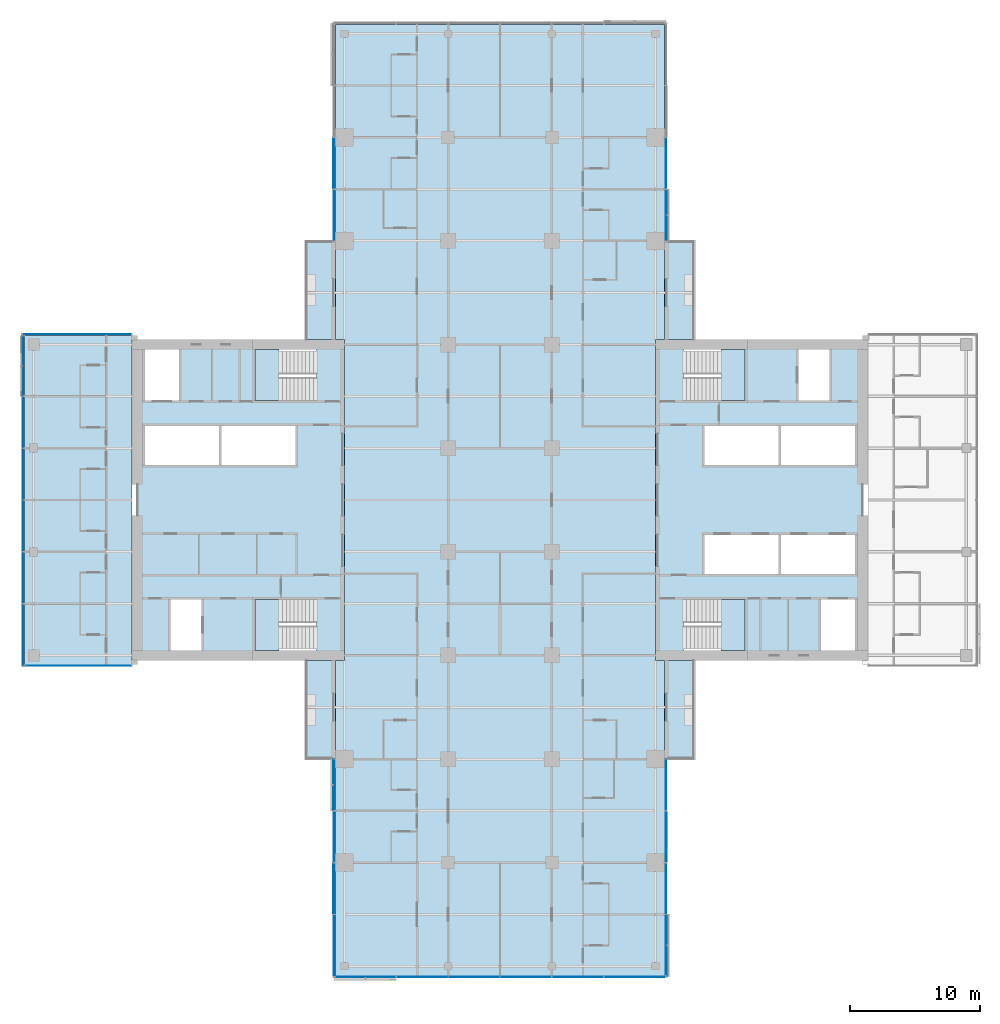
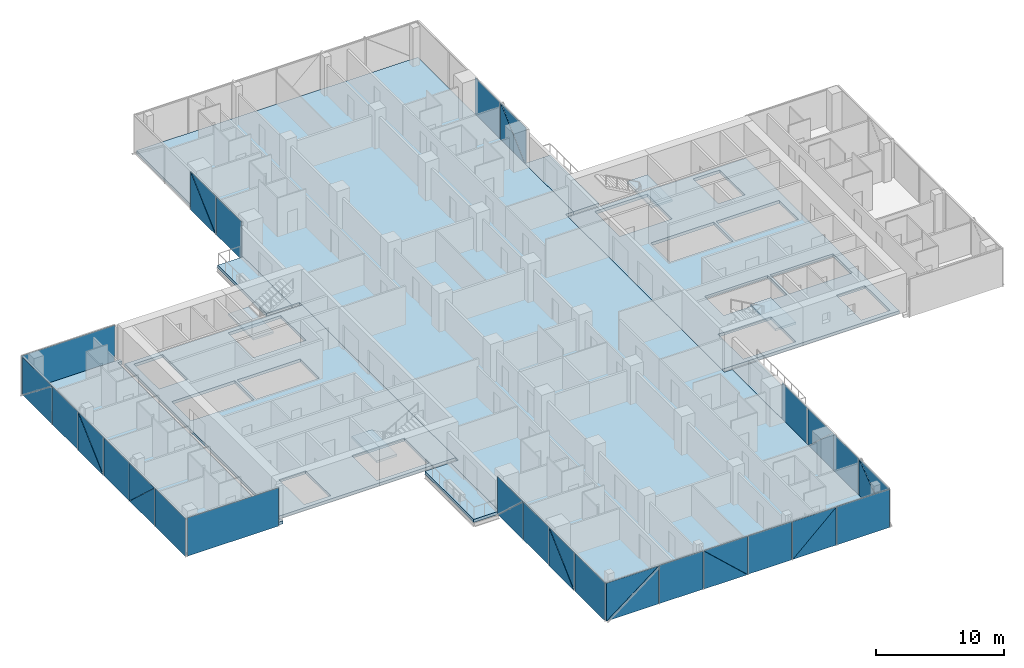
# One storey, part 13 of 27: 38 plates, 12 slabs, 12 elements without a shape of their own.
"""IFC4 building model written with IfcOpenShell, lengths in metres."""

from ifc_helpers import new_model, si_unit, direction, frame, origin, place, context, subcontext, project, spatial, polyline, outline, extrude, material, layer, layer_set, type_object, element, aggregate, save


model = new_model("IFC4")

# Units and contexts
model_context = context("Model", 3, precision=1e-05, world=origin(), true_north=direction((0.0, 1.0)))
body_context = subcontext(model_context, "Body", "Model", "MODEL_VIEW")
ifc_project = project(units=[si_unit("LENGTHUNIT", "METRE"), si_unit("AREAUNIT", "SQUARE_METRE"), si_unit("VOLUMEUNIT", "CUBIC_METRE"), si_unit("PLANEANGLEUNIT", "RADIAN"), si_unit("MASSUNIT", "GRAM", prefix="KILO")], contexts=[model_context])

# Site, building, storey
site_placement = place(None, origin())
site = spatial("IfcSite", under=ifc_project, at=site_placement, CompositionType="ELEMENT")
building_placement = place(site_placement, origin())
building = spatial("IfcBuilding", under=site, at=building_placement, Name="Crosswind Convention Tower", CompositionType="ELEMENT")
storey_placement = place(building_placement, frame((0.0, 0.0, 68.300048828125)))
storey = spatial("IfcBuildingStorey", under=building, at=storey_placement, Name="L11", CompositionType="ELEMENT", Elevation=68.300048828125)

# Slabs
ifc_material_1 = material(Name="Concrete C40/50", Category="concrete")
ifc_layer_1 = layer(ifc_material_1, 0.280029296875)
ifc_layer_set_1 = layer_set([ifc_layer_1], Name="Concrete C40/50")
slab_type_1 = type_object("IfcSlabType", Name="BALCONY SLAB 280", PredefinedType="USERDEFINED", material=ifc_layer_set_1)
slab_1_placement = place(storey_placement, frame((0.0, 0.0, -0.280029296875)))
element("IfcSlab", 1, at=slab_1_placement, inside=storey, type_object=slab_type_1, Name="BALCONY L11 N-E.1-1", ObjectType="BALCONY", PredefinedType="USERDEFINED", context=body_context, shape_type="SweptSolid", body=[
    extrude(outline(polyline([(137.699951171875, 112.39990234375), (137.699951171875, 120.0), (140.0, 120.0), (140.0, 112.39990234375), (137.699951171875, 112.39990234375)])), origin(), (0.0, 0.0, 1.0), 0.280029296875),
])
slab_2_placement = place(storey_placement, frame((0.0, 0.0, -0.280029296875)))
element("IfcSlab", 2, at=slab_2_placement, inside=storey, type_object=slab_type_1, Name="BALCONY L11 N-W.1-3", ObjectType="BALCONY", PredefinedType="USERDEFINED", context=body_context, shape_type="SweptSolid", body=[
    extrude(outline(polyline([(112.300048828125, 120.0), (112.300048828125, 112.39990234375), (110.0, 112.39990234375), (110.0, 120.0), (112.300048828125, 120.0)])), origin(), (0.0, 0.0, 1.0), 0.280029296875),
])
slab_3_placement = place(storey_placement, frame((0.0, 0.0, -0.280029296875)))
element("IfcSlab", 3, at=slab_3_placement, inside=storey, type_object=slab_type_1, Name="BALCONY L11 S-W.1-1", ObjectType="BALCONY", PredefinedType="USERDEFINED", context=body_context, shape_type="SweptSolid", body=[
    extrude(outline(polyline([(112.300048828125, 87.60009765625), (112.300048828125, 80.0), (110.0, 80.0), (110.0, 87.60009765625), (112.300048828125, 87.60009765625)])), origin(), (0.0, 0.0, 1.0), 0.280029296875),
])
slab_4_placement = place(storey_placement, frame((0.0, 0.0, -0.280029296875)))
element("IfcSlab", 4, at=slab_4_placement, inside=storey, type_object=slab_type_1, Name="BALCONY L11 S-E.1-3", ObjectType="BALCONY", PredefinedType="USERDEFINED", context=body_context, shape_type="SweptSolid", body=[
    extrude(outline(polyline([(137.699951171875, 80.0), (137.699951171875, 87.60009765625), (140.0, 87.60009765625), (140.0, 80.0), (137.699951171875, 80.0)])), origin(), (0.0, 0.0, 1.0), 0.280029296875),
])
ifc_layer_2 = layer(ifc_material_1, 0.280029296875)
ifc_layer_set_2 = layer_set([ifc_layer_2], Name="Concrete C40/50")
slab_type_2 = type_object("IfcSlabType", Name="Composite floor slab 280", PredefinedType="FLOOR", material=ifc_layer_set_2)
slab_5_placement = place(storey_placement, frame((0.0, 0.0, -0.280029296875)))
element("IfcSlab", 5, at=slab_5_placement, inside=storey, type_object=slab_type_2, Name="Floor slab L11 part 1", PredefinedType="FLOOR", context=body_context, shape_type="SweptSolid", body=[
    extrude(outline(polyline([(97.0, 87.300048828125), (89.0, 87.300048828125), (88.300048828125, 87.300048828125), (88.300048828125, 88.0), (88.300048828125, 112.0), (88.300048828125, 112.699951171875), (89.0, 112.699951171875), (97.0, 112.699951171875), (97.0, 112.39990234375), (96.60009765625, 112.39990234375), (96.60009765625, 87.60009765625), (97.0, 87.60009765625), (97.0, 87.300048828125)])), origin(), (0.0, 0.0, 1.0), 0.280029296875),
])
slab_6_placement = place(storey_placement, frame((0.0, 0.0, -0.280029296875)))
element("IfcSlab", 6, at=slab_6_placement, inside=storey, type_object=slab_type_2, Name="Floor slab L11 part 2", PredefinedType="FLOOR", context=body_context, shape_type="SweptSolid", body=[
    extrude(outline(polyline([(112.300048828125, 87.60009765625), (113.0, 87.60009765625), (113.0, 112.39990234375), (112.300048828125, 112.39990234375), (112.300048828125, 136.0), (112.300048828125, 136.699951171875), (113.0, 136.699951171875), (137.0, 136.699951171875), (137.699951171875, 136.699951171875), (137.699951171875, 136.0), (137.699951171875, 112.39990234375), (137.0, 112.39990234375), (137.0, 87.60009765625), (137.699951171875, 87.60009765625), (137.699951171875, 64.0), (137.699951171875, 63.300048828125), (137.0, 63.300048828125), (113.0, 63.300048828125), (112.300048828125, 63.300048828125), (112.300048828125, 64.0), (112.300048828125, 87.60009765625)])), origin(), (0.0, 0.0, 1.0), 0.280029296875),
])
ifc_layer_3 = layer(ifc_material_1, 0.280029296875)
ifc_layer_set_3 = layer_set([ifc_layer_3], Name="Concrete C40/50")
slab_type_3 = type_object("IfcSlabType", Name="Concrete core floor slab 280", PredefinedType="FLOOR", material=ifc_layer_set_3)
slab_7_placement = place(storey_placement, frame((0.0, 0.0, -0.280029296875)))
element("IfcSlab", 7, at=slab_7_placement, inside=storey, type_object=slab_type_3, Name="Core floor slab E L11", PredefinedType="FLOOR", context=body_context, shape_type="SweptSolid", body=[
    extrude(outline(polyline([(137.0, 88.0), (153.0, 88.0), (153.0, 112.0), (137.0, 112.0), (137.0, 88.0)]), holes=[polyline([(146.5, 102.699951171875), (146.5, 105.699951171875), (140.800048828125, 105.699951171875), (140.800048828125, 102.699951171875), (146.5, 102.699951171875)]), polyline([(152.39990234375, 102.699951171875), (152.39990234375, 105.699951171875), (146.699951171875, 105.699951171875), (146.699951171875, 102.699951171875), (152.39990234375, 102.699951171875)]), polyline([(146.5, 94.300048828125), (146.5, 97.300048828125), (140.800048828125, 97.300048828125), (140.800048828125, 94.300048828125), (146.5, 94.300048828125)]), polyline([(152.39990234375, 94.300048828125), (152.39990234375, 97.300048828125), (146.699951171875, 97.300048828125), (146.699951171875, 94.300048828125), (152.39990234375, 94.300048828125)]), polyline([(150.449951171875, 107.699951171875), (150.449951171875, 111.60009765625), (148.050048828125, 111.60009765625), (148.050048828125, 107.699951171875), (150.449951171875, 107.699951171875)]), polyline([(152.39990234375, 88.39990234375), (152.39990234375, 92.300048828125), (149.800048828125, 92.300048828125), (149.800048828125, 88.39990234375), (152.39990234375, 88.39990234375)]), polyline([(143.89990234375, 107.699951171875), (143.89990234375, 111.60009765625), (139.14990234375, 111.60009765625), (139.14990234375, 107.699951171875), (143.89990234375, 107.699951171875)]), polyline([(143.89990234375, 88.39990234375), (143.89990234375, 92.300048828125), (139.14990234375, 92.300048828125), (139.14990234375, 88.39990234375), (143.89990234375, 88.39990234375)])]), origin(), (0.0, 0.0, 1.0), 0.280029296875),
])
slab_8_placement = place(storey_placement, frame((0.0, 0.0, -0.280029296875)))
element("IfcSlab", 8, at=slab_8_placement, inside=storey, type_object=slab_type_3, Name="Core floor slab W L11", PredefinedType="FLOOR", context=body_context, shape_type="SweptSolid", body=[
    extrude(outline(polyline([(97.0, 88.0), (113.0, 88.0), (113.0, 112.0), (97.0, 112.0), (97.0, 88.0)]), holes=[polyline([(109.199951171875, 102.699951171875), (109.199951171875, 105.699951171875), (103.5, 105.699951171875), (103.5, 102.699951171875), (109.199951171875, 102.699951171875)]), polyline([(103.300048828125, 102.699951171875), (103.300048828125, 105.699951171875), (97.60009765625, 105.699951171875), (97.60009765625, 102.699951171875), (103.300048828125, 102.699951171875)]), polyline([(101.949951171875, 88.39990234375), (101.949951171875, 92.300048828125), (99.550048828125, 92.300048828125), (99.550048828125, 88.39990234375), (101.949951171875, 88.39990234375)]), polyline([(100.199951171875, 107.699951171875), (100.199951171875, 111.60009765625), (97.60009765625, 111.60009765625), (97.60009765625, 107.699951171875), (100.199951171875, 107.699951171875)]), polyline([(110.85009765625, 88.39990234375), (110.85009765625, 92.300048828125), (106.10009765625, 92.300048828125), (106.10009765625, 88.39990234375), (110.85009765625, 88.39990234375)]), polyline([(110.85009765625, 107.699951171875), (110.85009765625, 111.60009765625), (106.10009765625, 111.60009765625), (106.10009765625, 107.699951171875), (110.85009765625, 107.699951171875)])]), origin(), (0.0, 0.0, 1.0), 0.280029296875),
])

# Stair, slab
stair_type = type_object("IfcStairType", Name="Exit stair 1800 wide, 2 flights of 11 risers", PredefinedType="HALF_TURN_STAIR", material=ifc_material_1)
stair_1_placement = place(storey_placement, origin())
stair_1 = element("IfcStair", 9, at=stair_1_placement, inside=storey, type_object=stair_type, Name="Exit stair ST1 L11", ObjectType="ST5", PredefinedType="HALF_TURN_STAIR")
ifc_layer_4 = layer(ifc_material_1, 0.199951171875)
ifc_layer_set_4 = layer_set([ifc_layer_4], Name="Concrete C40/50")
slab_type_4 = type_object("IfcSlabType", Name="Stair landing 200", PredefinedType="LANDING", material=ifc_layer_set_4)
slab_9_placement = place(storey_placement, frame((0.0, 0.0, 1.64990234375)))
slab_9 = element("IfcSlab", 10, at=slab_9_placement, type_object=slab_type_4, Name="ST1 landing 1", PredefinedType="LANDING", context=body_context, shape_type="SweptSolid", body=[
    extrude(outline(polyline([(143.89990234375, 107.699951171875), (143.89990234375, 111.60009765625), (142.050048828125, 111.60009765625), (142.050048828125, 107.699951171875), (143.89990234375, 107.699951171875)])), origin(), (0.0, 0.0, 1.0), 0.199951171875),
])
aggregate(stair_1, [slab_9])

stair_2_placement = place(storey_placement, origin())
stair_2 = element("IfcStair", 11, at=stair_2_placement, inside=storey, type_object=stair_type, Name="Exit stair ST2 L11", ObjectType="ST5", PredefinedType="HALF_TURN_STAIR")
slab_10_placement = place(storey_placement, frame((0.0, 0.0, 1.64990234375)))
slab_10 = element("IfcSlab", 12, at=slab_10_placement, type_object=slab_type_4, Name="ST2 landing 1", PredefinedType="LANDING", context=body_context, shape_type="SweptSolid", body=[
    extrude(outline(polyline([(143.89990234375, 88.39990234375), (143.89990234375, 92.300048828125), (142.050048828125, 92.300048828125), (142.050048828125, 88.39990234375), (143.89990234375, 88.39990234375)])), origin(), (0.0, 0.0, 1.0), 0.199951171875),
])
aggregate(stair_2, [slab_10])

stair_3_placement = place(storey_placement, origin())
stair_3 = element("IfcStair", 13, at=stair_3_placement, inside=storey, type_object=stair_type, Name="Exit stair ST3 L11", ObjectType="ST5", PredefinedType="HALF_TURN_STAIR")
slab_11_placement = place(storey_placement, frame((0.0, 0.0, 1.64990234375)))
slab_11 = element("IfcSlab", 14, at=slab_11_placement, type_object=slab_type_4, Name="ST3 landing 1", PredefinedType="LANDING", context=body_context, shape_type="SweptSolid", body=[
    extrude(outline(polyline([(107.949951171875, 88.39990234375), (107.949951171875, 92.300048828125), (106.10009765625, 92.300048828125), (106.10009765625, 88.39990234375), (107.949951171875, 88.39990234375)])), origin(), (0.0, 0.0, 1.0), 0.199951171875),
])
aggregate(stair_3, [slab_11])

stair_4_placement = place(storey_placement, origin())
stair_4 = element("IfcStair", 15, at=stair_4_placement, inside=storey, type_object=stair_type, Name="Exit stair ST4 L11", ObjectType="ST5", PredefinedType="HALF_TURN_STAIR")
slab_12_placement = place(storey_placement, frame((0.0, 0.0, 1.64990234375)))
slab_12 = element("IfcSlab", 16, at=slab_12_placement, type_object=slab_type_4, Name="ST4 landing 1", PredefinedType="LANDING", context=body_context, shape_type="SweptSolid", body=[
    extrude(outline(polyline([(107.949951171875, 107.699951171875), (107.949951171875, 111.60009765625), (106.10009765625, 111.60009765625), (106.10009765625, 107.699951171875), (107.949951171875, 107.699951171875)])), origin(), (0.0, 0.0, 1.0), 0.199951171875),
])
aggregate(stair_4, [slab_12])

# Curtain wall, plate
ifc_material_2 = material(Name="Aluminium unitised curtain wall", Category="aluminium")
curtain_wall_type_1 = type_object("IfcCurtainWallType", Name="CORE END SLOT WALL 160", PredefinedType="USERDEFINED", material=ifc_material_2)
curtain_wall_1_placement = place(storey_placement, origin())
curtain_wall_1 = element("IfcCurtainWall", 17, at=curtain_wall_1_placement, inside=storey, type_object=curtain_wall_type_1, Name="CW6 L11 W-N.2-1 slot", ObjectType="UNITISED", PredefinedType="USERDEFINED")
ifc_material_3 = material(Name="Laminated insulating glass unit", Category="glass")
ifc_layer_5 = layer(ifc_material_3, 0.02587890625)
ifc_layer_set_5 = layer_set([ifc_layer_5], Name="TRIANGULAR GLASS PANEL 26")
plate_type_1 = type_object("IfcPlateType", Name="TRIANGULAR GLASS PANEL 26", PredefinedType="CURTAIN_PANEL", material=ifc_layer_set_5)
plate_1_placement = place(storey_placement, frame((96.550048828125, 112.806640625, -0.280029296875), z_axis=(0.0, 0.999999919464, 0.00040133776), x_axis=(-1.0, 0.0, 0.0)))
plate_1 = element("IfcPlate", 18, at=plate_1_placement, type_object=plate_type_1, Name="CW6 panel 1.1", PredefinedType="CURTAIN_PANEL", context=body_context, shape_type="SweptSolid", body=[
    extrude(outline(polyline([(0.0, 0.0), (8.400146484375, 0.0), (8.400146484375, 3.649902637698567), (0.0, 3.649902637698567), (0.0, 0.0)])), origin(), (0.0, 0.0, -1.0), 0.02587890625),
])
aggregate(curtain_wall_1, [plate_1])

curtain_wall_2_placement = place(storey_placement, origin())
curtain_wall_2 = element("IfcCurtainWall", 19, at=curtain_wall_2_placement, inside=storey, type_object=curtain_wall_type_1, Name="CW6 L11 W-S.1-1 slot", ObjectType="UNITISED", PredefinedType="USERDEFINED")
plate_2_placement = place(storey_placement, frame((88.35009765625, 87.193359375, -0.280029296875), z_axis=(0.0, -0.999999919464, 0.00040133776), x_axis=(1.0, 0.0, 0.0)))
plate_2 = element("IfcPlate", 20, at=plate_2_placement, type_object=plate_type_1, Name="CW6 panel 1.1", PredefinedType="CURTAIN_PANEL", context=body_context, shape_type="SweptSolid", body=[
    extrude(outline(polyline([(0.0, 0.0), (8.199951171875, 0.0), (8.199951171875, 3.6499026376985664), (0.0, 3.6499026376985664), (0.0, 0.0)])), origin(), (0.0, 0.0, -1.0), 0.02587890625),
])
aggregate(curtain_wall_2, [plate_2])

# Curtain wall, plates
curtain_wall_type_2 = type_object("IfcCurtainWallType", Name="HOTEL UNITISED WALL 200", PredefinedType="USERDEFINED", material=ifc_material_2)
curtain_wall_3_placement = place(storey_placement, origin())
curtain_wall_3 = element("IfcCurtainWall", 21, at=curtain_wall_3_placement, inside=storey, type_object=curtain_wall_type_2, Name="CW2 L11 N-E 1", ObjectType="UNITISED", PredefinedType="USERDEFINED")
ifc_layer_6 = layer(ifc_material_3, 0.028076171875)
ifc_layer_set_6 = layer_set([ifc_layer_6], Name="TRIANGULAR GLASS PANEL 28")
plate_type_2 = type_object("IfcPlateType", Name="TRIANGULAR GLASS PANEL 28", PredefinedType="CURTAIN_PANEL", material=ifc_layer_set_6)
plate_3_placement = place(storey_placement, frame((137.82861328125, 123.967529296875, -0.280029296875), z_axis=(0.999999943186, 0.0, 0.000337086208), x_axis=(-0.000337086208, 0.0, 0.999999943186)))
plate_3 = element("IfcPlate", 22, at=plate_3_placement, type_object=plate_type_2, Name="CW2 panel 1.1", PredefinedType="CURTAIN_PANEL", context=body_context, shape_type="SweptSolid", body=[
    extrude(outline(polyline([(0.0, 0.0), (3.6213380963660997, 0.0), (0.0, 3.920410156250001), (0.0, 0.0)])), origin(), (0.0, 0.0, -1.0), 0.028076171875),
])
plate_4_placement = place(storey_placement, frame((137.857177734375, 120.032470703125, 3.35498046875), z_axis=(0.999999918188, 0.0, 0.000404503439), x_axis=(0.000404503439, 0.0, -0.999999918188)))
plate_4 = element("IfcPlate", 23, at=plate_4_placement, type_object=plate_type_2, Name="CW2 panel 1.2", PredefinedType="CURTAIN_PANEL", context=body_context, shape_type="SweptSolid", body=[
    extrude(outline(polyline([(0.0, 0.0), (3.6213381868921797, 0.0), (0.0, 3.92041015625), (0.0, 0.0)])), origin(), (0.0, 0.0, -1.0), 0.028076171875),
])
plate_5_placement = place(storey_placement, frame((137.82861328125, 124.032470703125, -0.280029296875), z_axis=(0.999999943613, 0.0, 0.00033581837), x_axis=(0.0, 1.0, 0.0)))
plate_5 = element("IfcPlate", 24, at=plate_5_placement, type_object=plate_type_2, Name="CW2 panel 2.1", PredefinedType="CURTAIN_PANEL", context=body_context, shape_type="SweptSolid", body=[
    extrude(outline(polyline([(0.0, 0.0), (3.93505859375, 0.0), (3.93505859375, 3.635009970592273), (0.0, 3.635009970592273), (0.0, 0.0)])), origin(), (0.0, 0.0, -1.0), 0.028076171875),
])
aggregate(curtain_wall_3, [plate_3, plate_4, plate_5])

curtain_wall_4_placement = place(storey_placement, origin())
curtain_wall_4 = element("IfcCurtainWall", 25, at=curtain_wall_4_placement, inside=storey, type_object=curtain_wall_type_2, Name="CW2 L11 N-W 1", ObjectType="UNITISED", PredefinedType="USERDEFINED")
plate_6_placement = place(storey_placement, frame((112.172607421875, 124.032470703125, 3.35498046875), z_axis=(-0.999999943186, 0.0, 0.000337086208), x_axis=(0.0, 1.0, 0.0)))
plate_6 = element("IfcPlate", 26, at=plate_6_placement, type_object=plate_type_2, Name="CW2 panel 3.1", PredefinedType="CURTAIN_PANEL", context=body_context, shape_type="SweptSolid", body=[
    extrude(outline(polyline([(0.0, 0.0), (3.92041015625, 0.0), (0.0, 3.6213380963660997), (0.0, 0.0)])), origin(), (0.0, 0.0, -1.0), 0.028076171875),
])
plate_7_placement = place(storey_placement, frame((112.141357421875, 127.967529296875, -0.280029296875), z_axis=(-0.999999918188, 0.0, 0.000404503439), x_axis=(0.0, -1.0, 0.0)))
plate_7 = element("IfcPlate", 27, at=plate_7_placement, type_object=plate_type_2, Name="CW2 panel 3.2", PredefinedType="CURTAIN_PANEL", context=body_context, shape_type="SweptSolid", body=[
    extrude(outline(polyline([(0.0, 0.0), (3.92041015625, 0.0), (0.0, 3.6213381868921792), (0.0, 0.0)])), origin(), (0.0, 0.0, -1.0), 0.028076171875),
])
plate_8_placement = place(storey_placement, frame((112.17138671875, 123.967529296875, -0.280029296875), z_axis=(-0.999999943613, 0.0, 0.00033581837), x_axis=(0.0, -1.0, 0.0)))
plate_8 = element("IfcPlate", 28, at=plate_8_placement, type_object=plate_type_2, Name="CW2 panel 4.1", PredefinedType="CURTAIN_PANEL", context=body_context, shape_type="SweptSolid", body=[
    extrude(outline(polyline([(0.0, 0.0), (3.93505859375, 0.0), (3.93505859375, 3.635009970592273), (0.0, 3.635009970592273), (0.0, 0.0)])), origin(), (0.0, 0.0, -1.0), 0.028076171875),
])
aggregate(curtain_wall_4, [plate_6, plate_7, plate_8])

curtain_wall_5_placement = place(storey_placement, origin())
curtain_wall_5 = element("IfcCurtainWall", 29, at=curtain_wall_5_placement, inside=storey, type_object=curtain_wall_type_2, Name="CW2 L11 W-TIP 1", ObjectType="UNITISED", PredefinedType="USERDEFINED")
plate_9_placement = place(storey_placement, frame((88.17138671875, 108.032470703125, -0.280029296875), z_axis=(-0.999999943217, 0.0, 0.00033699533), x_axis=(0.00033699533, 0.0, 0.999999943217)))
plate_9 = element("IfcPlate", 30, at=plate_9_placement, type_object=plate_type_2, Name="CW2 panel 1.1", PredefinedType="CURTAIN_PANEL", context=body_context, shape_type="SweptSolid", body=[
    extrude(outline(polyline([(0.0, 0.0), (3.6223146588106325, 0.0), (0.0, 4.58642578125), (0.0, 0.0)])), origin(), (0.0, 0.0, -1.0), 0.028076171875),
])
plate_10_placement = place(storey_placement, frame((88.142822265625, 112.635009765625, 3.35498046875), z_axis=(-0.999999918233, 0.0, 0.000404394386), x_axis=(-0.000404394386, 0.0, -0.999999918233)))
plate_10 = element("IfcPlate", 31, at=plate_10_placement, type_object=plate_type_2, Name="CW2 panel 1.2", PredefinedType="CURTAIN_PANEL", context=body_context, shape_type="SweptSolid", body=[
    extrude(outline(polyline([(0.0, 0.0), (3.6223147493123067, 0.0), (0.0, 4.58642578125), (0.0, 0.0)])), origin(), (0.0, 0.0, -1.0), 0.028076171875),
])
plate_11_placement = place(storey_placement, frame((88.17138671875, 107.967529296875, -0.280029296875), z_axis=(-0.999999943613, 0.0, 0.00033581837), x_axis=(0.0, -1.0, 0.0)))
plate_11 = element("IfcPlate", 32, at=plate_11_placement, type_object=plate_type_2, Name="CW2 panel 2.1", PredefinedType="CURTAIN_PANEL", context=body_context, shape_type="SweptSolid", body=[
    extrude(outline(polyline([(0.0, 0.0), (3.93505859375, 0.0), (3.93505859375, 3.635009970592273), (0.0, 3.635009970592273), (0.0, 0.0)])), origin(), (0.0, 0.0, -1.0), 0.028076171875),
])
plate_12_placement = place(storey_placement, frame((88.172607421875, 100.032470703125, 3.35498046875), z_axis=(-0.999999943186, 0.0, 0.000337086208), x_axis=(0.0, 1.0, 0.0)))
plate_12 = element("IfcPlate", 33, at=plate_12_placement, type_object=plate_type_2, Name="CW2 panel 3.1", PredefinedType="CURTAIN_PANEL", context=body_context, shape_type="SweptSolid", body=[
    extrude(outline(polyline([(0.0, 0.0), (3.92041015625, 0.0), (0.0, 3.6213380963660997), (0.0, 0.0)])), origin(), (0.0, 0.0, -1.0), 0.028076171875),
])
plate_13_placement = place(storey_placement, frame((88.141357421875, 103.967529296875, -0.280029296875), z_axis=(-0.999999918188, 0.0, 0.000404503439), x_axis=(0.0, -1.0, 0.0)))
plate_13 = element("IfcPlate", 34, at=plate_13_placement, type_object=plate_type_2, Name="CW2 panel 3.2", PredefinedType="CURTAIN_PANEL", context=body_context, shape_type="SweptSolid", body=[
    extrude(outline(polyline([(0.0, 0.0), (3.92041015625, 0.0), (0.0, 3.6213381868921792), (0.0, 0.0)])), origin(), (0.0, 0.0, -1.0), 0.028076171875),
])
plate_14_placement = place(storey_placement, frame((88.17138671875, 99.967529296875, -0.280029296875), z_axis=(-0.999999943613, 0.0, 0.00033581837), x_axis=(0.0, -1.0, 0.0)))
plate_14 = element("IfcPlate", 35, at=plate_14_placement, type_object=plate_type_2, Name="CW2 panel 4.1", PredefinedType="CURTAIN_PANEL", context=body_context, shape_type="SweptSolid", body=[
    extrude(outline(polyline([(0.0, 0.0), (3.93505859375, 0.0), (3.93505859375, 3.635009970592273), (0.0, 3.635009970592273), (0.0, 0.0)])), origin(), (0.0, 0.0, -1.0), 0.028076171875),
])
plate_15_placement = place(storey_placement, frame((88.17138671875, 92.032470703125, -0.280029296875), z_axis=(-0.999999943186, 0.0, 0.000337086208), x_axis=(0.000337086208, 0.0, 0.999999943186)))
plate_15 = element("IfcPlate", 36, at=plate_15_placement, type_object=plate_type_2, Name="CW2 panel 5.1", PredefinedType="CURTAIN_PANEL", context=body_context, shape_type="SweptSolid", body=[
    extrude(outline(polyline([(0.0, 0.0), (3.6213380963660997, 0.0), (0.0, 3.920410156250001), (0.0, 0.0)])), origin(), (0.0, 0.0, -1.0), 0.028076171875),
])
plate_16_placement = place(storey_placement, frame((88.142822265625, 95.967529296875, 3.35498046875), z_axis=(-0.999999918188, 0.0, 0.000404503439), x_axis=(-0.000404503439, 0.0, -0.999999918188)))
plate_16 = element("IfcPlate", 37, at=plate_16_placement, type_object=plate_type_2, Name="CW2 panel 5.2", PredefinedType="CURTAIN_PANEL", context=body_context, shape_type="SweptSolid", body=[
    extrude(outline(polyline([(0.0, 0.0), (3.6213381868921797, 0.0), (0.0, 3.92041015625), (0.0, 0.0)])), origin(), (0.0, 0.0, -1.0), 0.028076171875),
])
plate_17_placement = place(storey_placement, frame((88.17138671875, 91.967529296875, -0.280029296875), z_axis=(-0.999999943613, 0.0, 0.00033581837), x_axis=(0.0, -1.0, 0.0)))
plate_17 = element("IfcPlate", 38, at=plate_17_placement, type_object=plate_type_2, Name="CW2 panel 6.1", PredefinedType="CURTAIN_PANEL", context=body_context, shape_type="SweptSolid", body=[
    extrude(outline(polyline([(0.0, 0.0), (4.762451171875, 0.0), (4.762451171875, 3.635009970592273), (0.0, 3.635009970592273), (0.0, 0.0)])), origin(), (0.0, 0.0, -1.0), 0.028076171875),
])
aggregate(curtain_wall_5, [plate_9, plate_10, plate_11, plate_12, plate_13, plate_14, plate_15, plate_16, plate_17])

curtain_wall_6_placement = place(storey_placement, origin())
curtain_wall_6 = element("IfcCurtainWall", 39, at=curtain_wall_6_placement, inside=storey, type_object=curtain_wall_type_2, Name="CW2 L11 S-W 1", ObjectType="UNITISED", PredefinedType="USERDEFINED")
plate_18_placement = place(storey_placement, frame((112.17138671875, 76.032470703125, -0.280029296875), z_axis=(-0.999999943186, 0.0, 0.000337086208), x_axis=(0.000337086208, 0.0, 0.999999943186)))
plate_18 = element("IfcPlate", 40, at=plate_18_placement, type_object=plate_type_2, Name="CW2 panel 1.1", PredefinedType="CURTAIN_PANEL", context=body_context, shape_type="SweptSolid", body=[
    extrude(outline(polyline([(0.0, 0.0), (3.6213380963660997, 0.0), (0.0, 3.920410156250001), (0.0, 0.0)])), origin(), (0.0, 0.0, -1.0), 0.028076171875),
])
plate_19_placement = place(storey_placement, frame((112.142822265625, 79.967529296875, 3.35498046875), z_axis=(-0.999999918188, 0.0, 0.000404503439), x_axis=(-0.000404503439, 0.0, -0.999999918188)))
plate_19 = element("IfcPlate", 41, at=plate_19_placement, type_object=plate_type_2, Name="CW2 panel 1.2", PredefinedType="CURTAIN_PANEL", context=body_context, shape_type="SweptSolid", body=[
    extrude(outline(polyline([(0.0, 0.0), (3.6213381868921797, 0.0), (0.0, 3.92041015625), (0.0, 0.0)])), origin(), (0.0, 0.0, -1.0), 0.028076171875),
])
plate_20_placement = place(storey_placement, frame((112.17138671875, 75.967529296875, -0.280029296875), z_axis=(-0.999999943613, 0.0, 0.00033581837), x_axis=(0.0, -1.0, 0.0)))
plate_20 = element("IfcPlate", 42, at=plate_20_placement, type_object=plate_type_2, Name="CW2 panel 2.1", PredefinedType="CURTAIN_PANEL", context=body_context, shape_type="SweptSolid", body=[
    extrude(outline(polyline([(0.0, 0.0), (3.93505859375, 0.0), (3.93505859375, 3.635009970592273), (0.0, 3.635009970592273), (0.0, 0.0)])), origin(), (0.0, 0.0, -1.0), 0.028076171875),
])
plate_21_placement = place(storey_placement, frame((112.172607421875, 68.032470703125, 3.35498046875), z_axis=(-0.999999943186, 0.0, 0.000337086208), x_axis=(0.0, 1.0, 0.0)))
plate_21 = element("IfcPlate", 43, at=plate_21_placement, type_object=plate_type_2, Name="CW2 panel 3.1", PredefinedType="CURTAIN_PANEL", context=body_context, shape_type="SweptSolid", body=[
    extrude(outline(polyline([(0.0, 0.0), (3.92041015625, 0.0), (0.0, 3.6213380963660997), (0.0, 0.0)])), origin(), (0.0, 0.0, -1.0), 0.028076171875),
])
plate_22_placement = place(storey_placement, frame((112.141357421875, 71.967529296875, -0.280029296875), z_axis=(-0.999999918188, 0.0, 0.000404503439), x_axis=(0.0, -1.0, 0.0)))
plate_22 = element("IfcPlate", 44, at=plate_22_placement, type_object=plate_type_2, Name="CW2 panel 3.2", PredefinedType="CURTAIN_PANEL", context=body_context, shape_type="SweptSolid", body=[
    extrude(outline(polyline([(0.0, 0.0), (3.92041015625, 0.0), (0.0, 3.6213381868921792), (0.0, 0.0)])), origin(), (0.0, 0.0, -1.0), 0.028076171875),
])
plate_23_placement = place(storey_placement, frame((112.17138671875, 67.967529296875, -0.280029296875), z_axis=(-0.999999943613, 0.0, 0.00033581837), x_axis=(0.0, -1.0, 0.0)))
plate_23 = element("IfcPlate", 45, at=plate_23_placement, type_object=plate_type_2, Name="CW2 panel 4.1", PredefinedType="CURTAIN_PANEL", context=body_context, shape_type="SweptSolid", body=[
    extrude(outline(polyline([(0.0, 0.0), (4.735107421875, 0.0), (4.735107421875, 3.6350099705922725), (0.0, 3.6350099705922725), (0.0, 0.0)])), origin(), (0.0, 0.0, -1.0), 0.028076171875),
])
aggregate(curtain_wall_6, [plate_18, plate_19, plate_20, plate_21, plate_22, plate_23])

curtain_wall_7_placement = place(storey_placement, origin())
curtain_wall_7 = element("IfcCurtainWall", 46, at=curtain_wall_7_placement, inside=storey, type_object=curtain_wall_type_2, Name="CW2 L11 S-TIP 1", ObjectType="UNITISED", PredefinedType="USERDEFINED")
plate_24_placement = place(storey_placement, frame((116.967529296875, 63.17138671875, -0.280029296875), z_axis=(0.0, -0.999999943217, 0.00033699533), x_axis=(0.0, 0.00033699533, 0.999999943217)))
plate_24 = element("IfcPlate", 47, at=plate_24_placement, type_object=plate_type_2, Name="CW2 panel 1.1", PredefinedType="CURTAIN_PANEL", context=body_context, shape_type="SweptSolid", body=[
    extrude(outline(polyline([(0.0, 0.0), (3.6223146588106325, 0.0), (0.0, 4.718505859374999), (0.0, 0.0)])), origin(), (0.0, 0.0, -1.0), 0.028076171875),
])
plate_25_placement = place(storey_placement, frame((112.232421875, 63.142822265625, 3.35498046875), z_axis=(0.0, -0.999999918233, 0.000404394386), x_axis=(0.0, -0.000404394386, -0.999999918233)))
plate_25 = element("IfcPlate", 48, at=plate_25_placement, type_object=plate_type_2, Name="CW2 panel 1.2", PredefinedType="CURTAIN_PANEL", context=body_context, shape_type="SweptSolid", body=[
    extrude(outline(polyline([(0.0, 0.0), (3.6223147493123067, 0.0), (0.0, 4.71875), (0.0, 0.0)])), origin(), (0.0, 0.0, -1.0), 0.028076171875),
])
plate_26_placement = place(storey_placement, frame((117.032470703125, 63.17138671875, -0.280029296875), z_axis=(0.0, -0.999999943613, 0.00033581837), x_axis=(1.0, 0.0, 0.0)))
plate_26 = element("IfcPlate", 49, at=plate_26_placement, type_object=plate_type_2, Name="CW2 panel 2.1", PredefinedType="CURTAIN_PANEL", context=body_context, shape_type="SweptSolid", body=[
    extrude(outline(polyline([(0.0, 0.0), (3.93505859375, 0.0), (3.93505859375, 3.635009970592273), (0.0, 3.635009970592273), (0.0, 0.0)])), origin(), (0.0, 0.0, -1.0), 0.028076171875),
])
plate_27_placement = place(storey_placement, frame((124.967529296875, 63.172607421875, 3.35498046875), z_axis=(0.0, -0.999999943186, 0.000337086208), x_axis=(-1.0, 0.0, 0.0)))
plate_27 = element("IfcPlate", 50, at=plate_27_placement, type_object=plate_type_2, Name="CW2 panel 3.1", PredefinedType="CURTAIN_PANEL", context=body_context, shape_type="SweptSolid", body=[
    extrude(outline(polyline([(0.0, 0.0), (3.92041015625, 0.0), (0.0, 3.6213380963660997), (0.0, 0.0)])), origin(), (0.0, 0.0, -1.0), 0.028076171875),
])
plate_28_placement = place(storey_placement, frame((121.032470703125, 63.141357421875, -0.280029296875), z_axis=(0.0, -0.999999918188, 0.000404503439), x_axis=(1.0, 0.0, 0.0)))
plate_28 = element("IfcPlate", 51, at=plate_28_placement, type_object=plate_type_2, Name="CW2 panel 3.2", PredefinedType="CURTAIN_PANEL", context=body_context, shape_type="SweptSolid", body=[
    extrude(outline(polyline([(0.0, 0.0), (3.92041015625, 0.0), (0.0, 3.6213381868921792), (0.0, 0.0)])), origin(), (0.0, 0.0, -1.0), 0.028076171875),
])
plate_29_placement = place(storey_placement, frame((125.032470703125, 63.17138671875, -0.280029296875), z_axis=(0.0, -0.999999943613, 0.00033581837), x_axis=(1.0, 0.0, 0.0)))
plate_29 = element("IfcPlate", 52, at=plate_29_placement, type_object=plate_type_2, Name="CW2 panel 4.1", PredefinedType="CURTAIN_PANEL", context=body_context, shape_type="SweptSolid", body=[
    extrude(outline(polyline([(0.0, 0.0), (3.93505859375, 0.0), (3.93505859375, 3.635009970592273), (0.0, 3.635009970592273), (0.0, 0.0)])), origin(), (0.0, 0.0, -1.0), 0.028076171875),
])
plate_30_placement = place(storey_placement, frame((132.967529296875, 63.17138671875, -0.280029296875), z_axis=(0.0, -0.999999943186, 0.000337086208), x_axis=(0.0, 0.000337086208, 0.999999943186)))
plate_30 = element("IfcPlate", 53, at=plate_30_placement, type_object=plate_type_2, Name="CW2 panel 5.1", PredefinedType="CURTAIN_PANEL", context=body_context, shape_type="SweptSolid", body=[
    extrude(outline(polyline([(0.0, 0.0), (3.6213380963660997, 0.0), (0.0, 3.920410156250001), (0.0, 0.0)])), origin(), (0.0, 0.0, -1.0), 0.028076171875),
])
plate_31_placement = place(storey_placement, frame((129.032470703125, 63.142822265625, 3.35498046875), z_axis=(0.0, -0.999999918188, 0.000404503439), x_axis=(0.0, -0.000404503439, -0.999999918188)))
plate_31 = element("IfcPlate", 54, at=plate_31_placement, type_object=plate_type_2, Name="CW2 panel 5.2", PredefinedType="CURTAIN_PANEL", context=body_context, shape_type="SweptSolid", body=[
    extrude(outline(polyline([(0.0, 0.0), (3.6213381868921797, 0.0), (0.0, 3.92041015625), (0.0, 0.0)])), origin(), (0.0, 0.0, -1.0), 0.028076171875),
])
plate_32_placement = place(storey_placement, frame((133.032470703125, 63.17138671875, -0.280029296875), z_axis=(0.0, -0.999999943613, 0.00033581837), x_axis=(1.0, 0.0, 0.0)))
plate_32 = element("IfcPlate", 55, at=plate_32_placement, type_object=plate_type_2, Name="CW2 panel 6.1", PredefinedType="CURTAIN_PANEL", context=body_context, shape_type="SweptSolid", body=[
    extrude(outline(polyline([(0.0, 0.0), (4.735107421875, 0.0), (4.735107421875, 3.6350099705922725), (0.0, 3.6350099705922725), (0.0, 0.0)])), origin(), (0.0, 0.0, -1.0), 0.028076171875),
])
aggregate(curtain_wall_7, [plate_24, plate_25, plate_26, plate_27, plate_28, plate_29, plate_30, plate_31, plate_32])

curtain_wall_8_placement = place(storey_placement, origin())
curtain_wall_8 = element("IfcCurtainWall", 56, at=curtain_wall_8_placement, inside=storey, type_object=curtain_wall_type_2, Name="CW2 L11 S-E 1", ObjectType="UNITISED", PredefinedType="USERDEFINED")
plate_33_placement = place(storey_placement, frame((137.82861328125, 67.967529296875, -0.280029296875), z_axis=(0.999999943217, 0.0, 0.00033699533), x_axis=(-0.00033699533, 0.0, 0.999999943217)))
plate_33 = element("IfcPlate", 57, at=plate_33_placement, type_object=plate_type_2, Name="CW2 panel 1.1", PredefinedType="CURTAIN_PANEL", context=body_context, shape_type="SweptSolid", body=[
    extrude(outline(polyline([(0.0, 0.0), (3.6223146588106325, 0.0), (0.0, 4.718505859374999), (0.0, 0.0)])), origin(), (0.0, 0.0, -1.0), 0.028076171875),
])
plate_34_placement = place(storey_placement, frame((137.857177734375, 63.232421875, 3.35498046875), z_axis=(0.999999918233, 0.0, 0.000404394386), x_axis=(0.000404394386, 0.0, -0.999999918233)))
plate_34 = element("IfcPlate", 58, at=plate_34_placement, type_object=plate_type_2, Name="CW2 panel 1.2", PredefinedType="CURTAIN_PANEL", context=body_context, shape_type="SweptSolid", body=[
    extrude(outline(polyline([(0.0, 0.0), (3.6223147493123067, 0.0), (0.0, 4.71875), (0.0, 0.0)])), origin(), (0.0, 0.0, -1.0), 0.028076171875),
])
plate_35_placement = place(storey_placement, frame((137.82861328125, 68.032470703125, -0.280029296875), z_axis=(0.999999943613, 0.0, 0.00033581837), x_axis=(0.0, 1.0, 0.0)))
plate_35 = element("IfcPlate", 59, at=plate_35_placement, type_object=plate_type_2, Name="CW2 panel 2.1", PredefinedType="CURTAIN_PANEL", context=body_context, shape_type="SweptSolid", body=[
    extrude(outline(polyline([(0.0, 0.0), (3.93505859375, 0.0), (3.93505859375, 3.635009970592273), (0.0, 3.635009970592273), (0.0, 0.0)])), origin(), (0.0, 0.0, -1.0), 0.028076171875),
])
plate_36_placement = place(storey_placement, frame((137.827392578125, 75.967529296875, 3.35498046875), z_axis=(0.999999943186, 0.0, 0.000337086208), x_axis=(0.0, -1.0, 0.0)))
plate_36 = element("IfcPlate", 60, at=plate_36_placement, type_object=plate_type_2, Name="CW2 panel 3.1", PredefinedType="CURTAIN_PANEL", context=body_context, shape_type="SweptSolid", body=[
    extrude(outline(polyline([(0.0, 0.0), (3.92041015625, 0.0), (0.0, 3.6213380963660997), (0.0, 0.0)])), origin(), (0.0, 0.0, -1.0), 0.028076171875),
])
plate_37_placement = place(storey_placement, frame((137.858642578125, 72.032470703125, -0.280029296875), z_axis=(0.999999918188, 0.0, 0.000404503439), x_axis=(0.0, 1.0, 0.0)))
plate_37 = element("IfcPlate", 61, at=plate_37_placement, type_object=plate_type_2, Name="CW2 panel 3.2", PredefinedType="CURTAIN_PANEL", context=body_context, shape_type="SweptSolid", body=[
    extrude(outline(polyline([(0.0, 0.0), (3.92041015625, 0.0), (0.0, 3.6213381868921792), (0.0, 0.0)])), origin(), (0.0, 0.0, -1.0), 0.028076171875),
])
plate_38_placement = place(storey_placement, frame((137.82861328125, 76.032470703125, -0.280029296875), z_axis=(0.999999943613, 0.0, 0.00033581837), x_axis=(0.0, 1.0, 0.0)))
plate_38 = element("IfcPlate", 62, at=plate_38_placement, type_object=plate_type_2, Name="CW2 panel 4.1", PredefinedType="CURTAIN_PANEL", context=body_context, shape_type="SweptSolid", body=[
    extrude(outline(polyline([(0.0, 0.0), (3.93505859375, 0.0), (3.93505859375, 3.635009970592273), (0.0, 3.635009970592273), (0.0, 0.0)])), origin(), (0.0, 0.0, -1.0), 0.028076171875),
])
aggregate(curtain_wall_8, [plate_33, plate_34, plate_35, plate_36, plate_37, plate_38])

save(model, "model.ifc")
